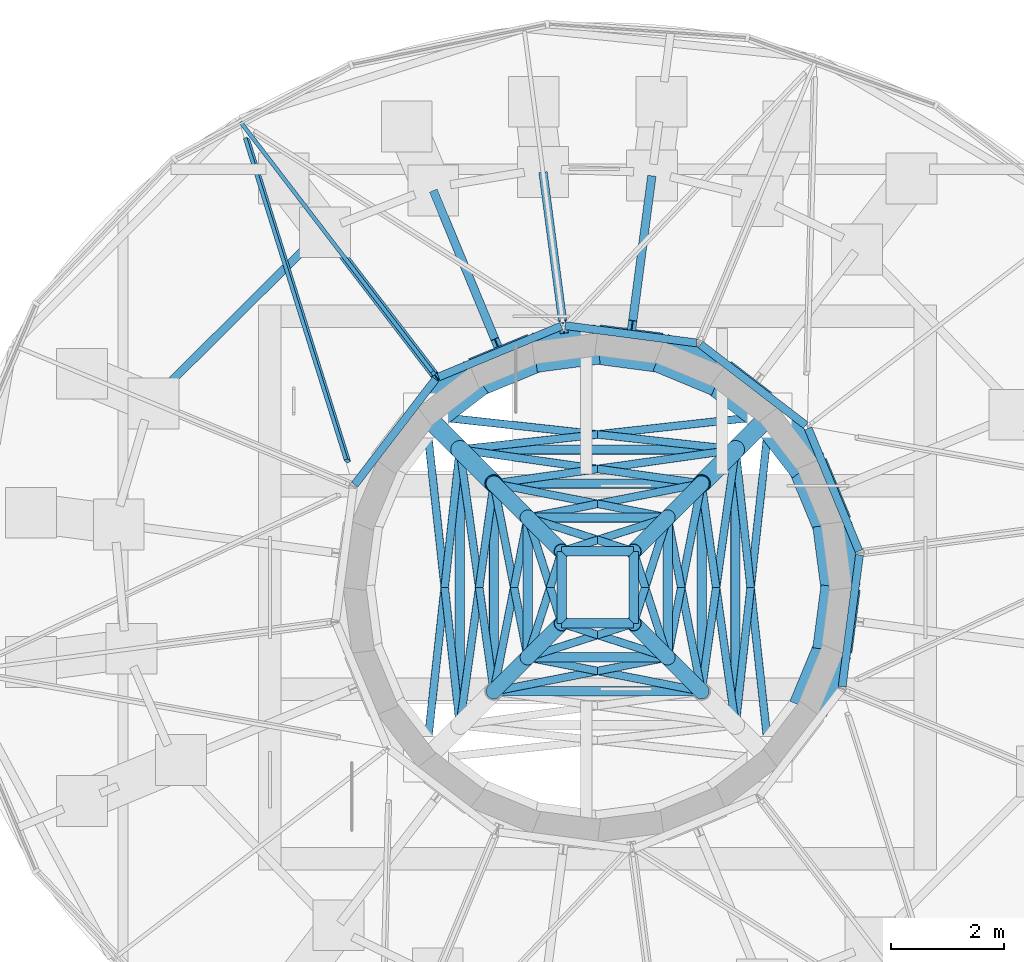
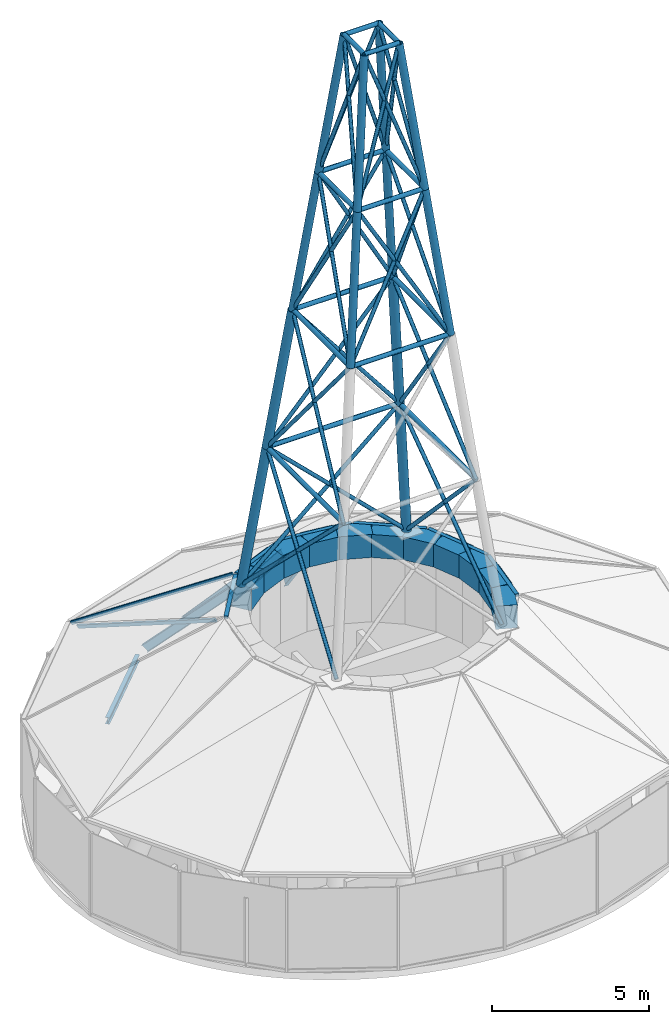
# One storey, part 3 of 10: 67 members, 12 beams, 7 elements without a shape of their own.
"""IFC4 building model written with IfcOpenShell, lengths in metres."""

import ifcopenshell
import ifcopenshell.guid

model = None  # the IFC model being written
_history = None  # IfcOwnerHistory: only IFC2X3 demands one
_inside = {}  # id of a spatial element -> (the spatial element, [elements in it])
_under = {}  # id of a project, library or spatial element -> (it, [spatial elements below it])
_declared = {}  # id of a project -> (the project, [libraries it declares])
_typed = {}  # id of a type object -> (the type object, [elements of that type])
_made_of = {}  # id of a material, layer set ... -> (it, [elements and type objects made of it])


def new_model(schema):
    """Start an empty IFC model of exactly this schema.

    Asked for "IFC4X3", IfcOpenShell would pick the latest addendum, in which some entities
    have other attributes; the version numbers below select the first issue.
    IFC2X3 requires an IfcOwnerHistory on every rooted entity: one is made here for all.
    """
    global model, _history
    if schema == "IFC4X3":
        model = ifcopenshell.file(schema_version=(4, 3, 0, 0))
    else:
        model = ifcopenshell.file(schema=schema)
    _inside.clear()
    _under.clear()
    _declared.clear()
    _typed.clear()
    _made_of.clear()
    _history = None
    if model.schema == "IFC2X3":
        org = make("IfcOrganization", Name="unknown")
        user = make(
            "IfcPersonAndOrganization",
            ThePerson=make("IfcPerson", FamilyName="unknown"),
            TheOrganization=org,
        )
        app = make(
            "IfcApplication",
            ApplicationDeveloper=org,
            Version="unknown",
            ApplicationFullName="unknown",
            ApplicationIdentifier="unknown",
        )
        _history = make(
            "IfcOwnerHistory",
            OwningUser=user,
            OwningApplication=app,
            ChangeAction="ADDED",
            CreationDate=0,
        )
    return model


def make(cls, **values):
    """One entity of the class cls with the attributes given. An attribute that is None is left unset."""
    return model.create_entity(
        cls, **{name: value for name, value in values.items() if value is not None}
    )


def rooted(cls, **values):
    """An entity with a GlobalId (a new one), such as an element, a storey or a relation."""
    return make(cls, GlobalId=ifcopenshell.guid.new(), OwnerHistory=_history, **values)


def si_unit(unit_type, name, prefix=None):
    """IfcSIUnit, for example si_unit("LENGTHUNIT", "METRE", prefix="MILLI")."""
    return make("IfcSIUnit", UnitType=unit_type, Prefix=prefix, Name=name)


def assignment(units):
    """IfcUnitAssignment: the units of a project."""
    return None if units is None else make("IfcUnitAssignment", Units=units)


def point(xyz):
    """IfcCartesianPoint."""
    return None if xyz is None else make("IfcCartesianPoint", Coordinates=xyz)


def direction(xyz):
    """IfcDirection."""
    return None if xyz is None else make("IfcDirection", DirectionRatios=xyz)


def frame(location, z_axis=None, x_axis=None):
    """IfcAxis2Placement3D, a coordinate frame: its origin and axes. An axis left out is left unset."""
    return make(
        "IfcAxis2Placement3D",
        Location=point(location),
        Axis=direction(z_axis),
        RefDirection=direction(x_axis),
    )


def frame_2d(location, x_axis=None):
    """IfcAxis2Placement2D, a coordinate frame in the plane: its origin and x axis."""
    return make(
        "IfcAxis2Placement2D", Location=point(location), RefDirection=direction(x_axis)
    )


def origin():
    """The frame at (0, 0, 0) with its axes left unset."""
    return frame((0.0, 0.0, 0.0))


def origin_2d():
    """The frame at (0, 0) in the plane with its x axis left unset."""
    return frame_2d((0.0, 0.0))


def place(relative_to, where):
    """IfcLocalPlacement: puts the frame where relative to a parent placement (None: the world)."""
    return make(
        "IfcLocalPlacement", PlacementRelTo=relative_to, RelativePlacement=where
    )


def context(
    kind, dimensions, precision=None, world=None, true_north=None, identifier=None
):
    """IfcGeometricRepresentationContext, for example the 3D "Model" context."""
    return make(
        "IfcGeometricRepresentationContext",
        ContextIdentifier=identifier,
        ContextType=kind,
        CoordinateSpaceDimension=dimensions,
        Precision=precision,
        WorldCoordinateSystem=world,
        TrueNorth=true_north,
    )


def subcontext(parent, identifier, kind, view, scale=None):
    """IfcGeometricRepresentationSubContext, for example "Body" below "Model"."""
    return make(
        "IfcGeometricRepresentationSubContext",
        ContextIdentifier=identifier,
        ContextType=kind,
        ParentContext=parent,
        TargetScale=scale,
        TargetView=view,
    )


def project(units=None, contexts=None):
    """IfcProject with its units and contexts."""
    return rooted(
        "IfcProject",
        Name="project",
        RepresentationContexts=contexts,
        UnitsInContext=assignment(units),
    )


def spatial(cls, under=None, at=None, **own):
    """A site, building, storey or space (cls), placed at a placement, below another one or the project."""
    s = rooted(cls, ObjectPlacement=at, **own)
    if under is not None:
        _under.setdefault(under.id(), (under, []))[1].append(s)
    return s


def profile(cls, at=None, kind="AREA", **sizes):
    """A parametric profile (cls). Its sizes go by their IFC names, for example OverallWidth=200.0."""
    return make(cls, ProfileType=kind, Position=at, **sizes)


def rectangle(**sizes):
    """IfcRectangleProfileDef."""
    return profile("IfcRectangleProfileDef", **sizes)


def hollow_circle(**sizes):
    """IfcCircleHollowProfileDef."""
    return profile("IfcCircleHollowProfileDef", **sizes)


def i_section(**sizes):
    """IfcIShapeProfileDef."""
    return profile("IfcIShapeProfileDef", **sizes)


def extrude(swept, where, along, depth):
    """IfcExtrudedAreaSolid: the profile swept, set in the frame where, extruded along a direction by depth."""
    return make(
        "IfcExtrudedAreaSolid",
        SweptArea=swept,
        Position=where,
        ExtrudedDirection=direction(along),
        Depth=depth,
    )


def shape(context_of_items, identifier, shape_type, items):
    """IfcShapeRepresentation: the items that make up one representation, for example the "Body"."""
    return make(
        "IfcShapeRepresentation",
        ContextOfItems=context_of_items,
        RepresentationIdentifier=identifier,
        RepresentationType=shape_type,
        Items=items,
    )


def source(mapping_origin, context_of_items, identifier, shape_type, items):
    """IfcRepresentationMap: a shape defined once, which mapped items show again and again."""
    return make(
        "IfcRepresentationMap",
        MappingOrigin=mapping_origin,
        MappedRepresentation=shape(context_of_items, identifier, shape_type, items),
    )


def transform(
    local_origin,
    x_axis=None,
    y_axis=None,
    z_axis=None,
    scale=None,
    scale2=None,
    scale3=None,
    uniform=True,
):
    """IfcCartesianTransformationOperator3D, or its non-uniform kind. x_axis, y_axis, z_axis: its Axis1, 2, 3."""
    if uniform:
        return make(
            "IfcCartesianTransformationOperator3D",
            Axis1=direction(x_axis),
            Axis2=direction(y_axis),
            LocalOrigin=point(local_origin),
            Scale=scale,
            Axis3=direction(z_axis),
        )
    return make(
        "IfcCartesianTransformationOperator3DnonUniform",
        Axis1=direction(x_axis),
        Axis2=direction(y_axis),
        LocalOrigin=point(local_origin),
        Scale=scale,
        Axis3=direction(z_axis),
        Scale2=scale2,
        Scale3=scale3,
    )


def mapped(mapping_source, mapping_target):
    """IfcMappedItem: shows the shape of a source again, moved by a transform."""
    return make(
        "IfcMappedItem", MappingSource=mapping_source, MappingTarget=mapping_target
    )


def material(Name=None, Category=None):
    """IfcMaterial."""
    return make("IfcMaterial", Name=Name, Category=Category)


def layer(
    of_material, thickness, ventilated=None, Name=None, Category=None, Priority=None
):
    """IfcMaterialLayer: one layer of a wall or slab, of a material (None: an air gap)."""
    return make(
        "IfcMaterialLayer",
        Material=of_material,
        LayerThickness=thickness,
        IsVentilated=ventilated,
        Name=Name,
        Category=Category,
        Priority=Priority,
    )


def layer_set(layers, Name=None):
    """IfcMaterialLayerSet."""
    return make("IfcMaterialLayerSet", MaterialLayers=layers, LayerSetName=Name)


def material_profile(
    of_material, cross_section, Name=None, Category=None, Priority=None
):
    """IfcMaterialProfile: a cross section and its material."""
    return make(
        "IfcMaterialProfile",
        Name=Name,
        Material=of_material,
        Profile=cross_section,
        Priority=Priority,
        Category=Category,
    )


def profile_set(profiles, Name=None, composite=None):
    """IfcMaterialProfileSet."""
    return make(
        "IfcMaterialProfileSet",
        Name=Name,
        MaterialProfiles=profiles,
        CompositeProfile=composite,
    )


def made_of(thing, what):
    """Note that an element or type object is made of a material, layer set ...; save() writes the relation."""
    if what is not None:
        _made_of.setdefault(what.id(), (what, []))[1].append(thing)
    return thing


def type_object(cls, material=None, **own):
    """A type object (cls), such as IfcWallType, which elements share."""
    return made_of(rooted(cls, **own), material)


def element(
    cls,
    number,
    at=None,
    inside=None,
    cuts=None,
    type_object=None,
    material=None,
    context=None,
    identifier="Body",
    shape_type=None,
    held_by="IfcProductDefinitionShape",
    body=None,
    shapes=None,
    **own,
):
    """One element of the class cls, such as IfcWall. Its Tag is "e" and its number.

    at: its placement. inside: the storey or other place that contains it. cuts: it is an
    opening in that element (IfcRelVoidsElement). A single representation is given by context,
    identifier, shape_type and body (its items); several are given by shapes. held_by: the class
    of the entity that holds the representations. save() writes the other relations.
    """
    e = rooted(cls, Tag="e%d" % number, ObjectPlacement=at, **own)
    if body is not None:
        shapes = [shape(context, identifier, shape_type, body)]
    if shapes is not None:
        e.Representation = make(held_by, Representations=shapes)
    if inside is not None:
        _inside.setdefault(inside.id(), (inside, []))[1].append(e)
    if cuts is not None:
        rooted(
            "IfcRelVoidsElement", RelatingBuildingElement=cuts, RelatedOpeningElement=e
        )
    if type_object is not None:
        _typed.setdefault(type_object.id(), (type_object, []))[1].append(e)
    return made_of(e, material)


def aggregate(whole, parts):
    """IfcRelAggregates: a whole, such as a stair, and the parts it consists of."""
    return rooted("IfcRelAggregates", RelatingObject=whole, RelatedObjects=parts)


def save(model, path):
    """Write the relations noted so far, then the file.

    IfcRelAggregates (storeys below a building ...), IfcRelContainedInSpatialStructure (elements
    in a storey), IfcRelDefinesByType, IfcRelAssociatesMaterial and IfcRelDeclares: one each for
    every whole, place, type object, material and project.
    """
    for whole, parts in _under.values():
        aggregate(whole, parts)
    for where, things in _inside.values():
        rooted(
            "IfcRelContainedInSpatialStructure",
            RelatedElements=things,
            RelatingStructure=where,
        )
    for kind, things in _typed.values():
        rooted("IfcRelDefinesByType", RelatedObjects=things, RelatingType=kind)
    for what, things in _made_of.values():
        rooted("IfcRelAssociatesMaterial", RelatedObjects=things, RelatingMaterial=what)
    for by, libraries in _declared.values():
        rooted("IfcRelDeclares", RelatingContext=by, RelatedDefinitions=libraries)
    model.write(path)


model = new_model("IFC4")

# Units and contexts
model_context = context("Model", 3, precision=1e-05, world=origin(), true_north=direction((0.0, 1.0)))
body_context = subcontext(model_context, "Body", "Model", "MODEL_VIEW")
ifc_project = project(units=[si_unit("LENGTHUNIT", "METRE"), si_unit("AREAUNIT", "SQUARE_METRE"), si_unit("VOLUMEUNIT", "CUBIC_METRE"), si_unit("PLANEANGLEUNIT", "RADIAN"), si_unit("MASSUNIT", "GRAM", prefix="KILO")], contexts=[model_context])

# Site, building, storey
site_placement = place(None, origin())
site = spatial("IfcSite", under=ifc_project, at=site_placement, CompositionType="ELEMENT")
building_placement = place(site_placement, origin())
building = spatial("IfcBuilding", under=site, at=building_placement, Name="Spindrift Exchange Tower", CompositionType="ELEMENT")
storey_placement = place(building_placement, frame((0.0, 0.0, 287.10009765625)))
storey = spatial("IfcBuildingStorey", under=building, at=storey_placement, Name="L71", CompositionType="ELEMENT", Elevation=287.10009765625)

# Beams
ifc_material_1 = material(Name="Steel Grade 300", Category="steel")
ifc_material_profile_1 = material_profile(ifc_material_1, i_section(OverallWidth=0.14599609375, OverallDepth=0.251953125, WebThickness=0.006103515625, FlangeThickness=0.008544921875, FilletRadius=0.011962890625, at=origin_2d()), Name="250UB31.4")
ifc_profile_set_1 = profile_set([ifc_material_profile_1], Name="Steel Grade 300")
beam_type_1 = type_object("IfcBeamType", Name="Edge Beam 250UB31.4 Steel Grade 300", PredefinedType="SPANDREL", material=ifc_profile_set_1)
shared_shape_1 = source(origin(), body_context, "Body", "SweptSolid", [
    extrude(i_section(OverallWidth=0.14599609375, OverallDepth=0.251953125, WebThickness=0.006103515625, FlangeThickness=0.008544921875, FilletRadius=0.011962890625, at=origin_2d()), origin(), (0.0, 0.0, 1.0), 3.66064453125),
])
beam_placement = place(storey_placement, frame((46.91357421875, 54.09130859375, 3.073974609375), z_axis=(-0.709703107954, -0.704500886131, 0.0), x_axis=(0.704500886131, -0.709703107954, 0.0)))
element("IfcBeam", 1, at=beam_placement, inside=storey, type_object=beam_type_1, Name="L71 edge beam E09", PredefinedType="SPANDREL", context=body_context, shape_type="MappedRepresentation", body=[
    mapped(shared_shape_1, transform((0.0, 0.0, 0.0), scale=1.0)),
])
ifc_material_2 = material(Name="Concrete 50 MPa", Category="concrete")
ifc_material_profile_2 = material_profile(ifc_material_2, rectangle(XDim=0.699951171875, YDim=0.89990234375, at=origin_2d()), Name="RC 700x900")
ifc_profile_set_2 = profile_set([ifc_material_profile_2], Name="Concrete 50 MPa")
beam_type_2 = type_object("IfcBeamType", Name="RC Ring Beam 700x900 Concrete 50 MPa", PredefinedType="BEAM", material=ifc_profile_set_2)
shared_shape_2 = source(origin(), body_context, "Body", "SweptSolid", [
    extrude(rectangle(XDim=0.699951171875, YDim=0.89990234375, at=origin_2d()), origin(), (0.0, 0.0, 1.0), 1.122314453125),
])
for number, where, z_axis, x_axis, name in (
    (2, (56.300048828125, 48.0, 6.5498046875), (-0.130510779773, 0.991446890339, 0.0), (-0.991446890339, -0.130510779773, 0.0), "Plant drum ring beam 01"),
    (3, (53.11279296875, 52.153564453125, 6.5498046875), (-0.991446890339, 0.130510779773, 0.0), (-0.130510779773, -0.991446890339, 0.0), "Plant drum ring beam 06"),
    (4, (52.0, 52.300048828125, 6.5498046875), (-0.991446890339, -0.130510779773, 0.0), (0.130510779773, -0.991446890339, 0.0), "Plant drum ring beam 07"),
    (5, (56.153564453125, 46.88720703125, 6.5498046875), (0.130510779773, 0.991446890339, 0.0), (-0.991446890339, 0.130510779773, 0.0), "Plant drum ring beam 24"),
):
    element("IfcBeam", number, at=place(storey_placement, frame(where, z_axis=z_axis, x_axis=x_axis)), inside=storey, type_object=beam_type_2, Name=name, PredefinedType="BEAM", context=body_context, shape_type="MappedRepresentation", body=[
        mapped(shared_shape_2, transform((0.0, 0.0, 0.0), scale=1.0)),
    ])
shared_shape_3 = source(origin(), body_context, "Body", "SweptSolid", [
    extrude(rectangle(XDim=0.699951171875, YDim=0.89990234375, at=origin_2d()), origin(), (0.0, 0.0, 1.0), 1.12255859375),
])
for number, where, z_axis, x_axis, name in (
    (6, (56.153564453125, 49.11279296875, 6.5498046875), (-0.382761541363, 0.923847174836, 0.0), (-0.923847174836, -0.382761541363, 0.0), "Plant drum ring beam 02"),
    (7, (55.723876953125, 50.14990234375, 6.5498046875), (-0.608732839803, 0.793375276742, 0.0), (-0.793375276742, -0.608732839803, 0.0), "Plant drum ring beam 03"),
    (8, (55.04052734375, 51.04052734375, 6.5498046875), (-0.793375276742, 0.608732839803, 0.0), (-0.608732839803, -0.793375276742, 0.0), "Plant drum ring beam 04"),
    (9, (54.14990234375, 51.723876953125, 6.5498046875), (-0.923847174836, 0.382761541363, 0.0), (-0.382761541363, -0.923847174836, 0.0), "Plant drum ring beam 05"),
    (10, (50.88720703125, 52.153564453125, 6.5498046875), (-0.923847174836, -0.382761541363, 0.0), (0.382761541363, -0.923847174836, 0.0), "Plant drum ring beam 08"),
    (11, (49.85009765625, 51.723876953125, 6.5498046875), (-0.793375276742, -0.608732839803, 0.0), (0.608732839803, -0.793375276742, 0.0), "Plant drum ring beam 09"),
    (12, (55.723876953125, 45.85009765625, 6.5498046875), (0.382761541363, 0.923847174836, 0.0), (-0.923847174836, 0.382761541363, 0.0), "Plant drum ring beam 23"),
):
    element("IfcBeam", number, at=place(storey_placement, frame(where, z_axis=z_axis, x_axis=x_axis)), inside=storey, type_object=beam_type_2, Name=name, PredefinedType="BEAM", context=body_context, shape_type="MappedRepresentation", body=[
        mapped(shared_shape_3, transform((0.0, 0.0, 0.0), scale=1.0)),
    ])

# Members
ifc_material_profile_3 = material_profile(ifc_material_1, i_section(OverallWidth=0.14892578125, OverallDepth=0.298095703125, WebThickness=0.005615234375, FlangeThickness=0.008056640625, FilletRadius=0.012939453125, at=origin_2d()), Name="310UB32.0")
ifc_profile_set_3 = profile_set([ifc_material_profile_3], Name="Steel Grade 300")
member_type_1 = type_object("IfcMemberType", Name="Crown Rafter 310UB32.0 Steel Grade 300", PredefinedType="RAFTER", material=ifc_profile_set_3)
shared_shape_4 = source(origin(), body_context, "Body", "SweptSolid", [
    extrude(i_section(OverallWidth=0.14892578125, OverallDepth=0.298095703125, WebThickness=0.005615234375, FlangeThickness=0.008056640625, FilletRadius=0.012939453125, at=origin_2d()), origin(), (0.0, 0.0, 1.0), 4.111083984375),
])
member_1_placement = place(storey_placement, frame((52.94384765625, 55.1689453125, 3.25), z_axis=(-0.081953001784, -0.622427109926, 0.778375358248), x_axis=(0.99144302295, -0.130540155679, 0.0)))
element("IfcMember", 13, at=member_1_placement, inside=storey, type_object=member_type_1, Name="Crown rafter 06", PredefinedType="RAFTER", context=body_context, shape_type="MappedRepresentation", body=[
    mapped(shared_shape_4, transform((0.0, 0.0, 0.0), scale=1.0)),
])
shared_shape_5 = source(origin(), body_context, "Body", "SweptSolid", [
    extrude(i_section(OverallWidth=0.14892578125, OverallDepth=0.298095703125, WebThickness=0.005615234375, FlangeThickness=0.008056640625, FilletRadius=0.012939453125, at=origin_2d()), origin(), (0.0, 0.0, 1.0), 4.15380859375),
])
member_2_placement = place(storey_placement, frame((51.04736328125, 55.236083984375, 3.25), z_axis=(0.08322358876, -0.632170141736, 0.770347159514), x_axis=(0.991445508648, 0.13052127559, 0.0)))
element("IfcMember", 14, at=member_2_placement, inside=storey, type_object=member_type_1, Name="Crown rafter 07", PredefinedType="RAFTER", context=body_context, shape_type="MappedRepresentation", body=[
    mapped(shared_shape_5, transform((0.0, 0.0, 0.0), scale=1.0)),
])
shared_shape_6 = source(origin(), body_context, "Body", "SweptSolid", [
    extrude(i_section(OverallWidth=0.14892578125, OverallDepth=0.298095703125, WebThickness=0.005615234375, FlangeThickness=0.008056640625, FilletRadius=0.012939453125, at=origin_2d()), origin(), (0.0, 0.0, 1.0), 4.279541015625),
])
member_3_placement = place(storey_placement, frame((49.133056640625, 54.92138671875, 3.25), z_axis=(0.254087329282, -0.61348341695, 0.747715003344), x_axis=(0.923893280851, 0.382650239251, 0.0)))
element("IfcMember", 15, at=member_3_placement, inside=storey, type_object=member_type_1, Name="Crown rafter 08", PredefinedType="RAFTER", context=body_context, shape_type="MappedRepresentation", body=[
    mapped(shared_shape_6, transform((0.0, 0.0, 0.0), scale=1.0)),
])
shared_shape_7 = source(origin(), body_context, "Body", "SweptSolid", [
    extrude(i_section(OverallWidth=0.14892578125, OverallDepth=0.298095703125, WebThickness=0.005615234375, FlangeThickness=0.008056640625, FilletRadius=0.012939453125, at=origin_2d()), origin(), (0.0, 0.0, 1.0), 4.497802734375),
])
member_4_placement = place(storey_placement, frame((47.2451171875, 54.19677734375, 3.25), z_axis=(0.427786716912, -0.557517747672, 0.711458000071), x_axis=(0.793361379302, 0.608750952223, 0.0)))
element("IfcMember", 16, at=member_4_placement, inside=storey, type_object=member_type_1, Name="Crown rafter 09", PredefinedType="RAFTER", context=body_context, shape_type="MappedRepresentation", body=[
    mapped(shared_shape_7, transform((0.0, 0.0, 0.0), scale=1.0)),
])
ifc_material_3 = material(Name="Steel Grade 350", Category="steel")
ifc_material_profile_4 = material_profile(ifc_material_3, hollow_circle(Radius=0.161865234375, WallThickness=0.009521484375, at=origin_2d()), Name="323.9x9.5CHS")
ifc_profile_set_4 = profile_set([ifc_material_profile_4], Name="Steel Grade 350")
member_type_2 = type_object("IfcMemberType", Name="Mast Leg 323.9x9.5CHS Steel Grade 350", PredefinedType="CHORD", material=ifc_profile_set_4)
shared_shape_8 = source(origin(), body_context, "Body", "SweptSolid", [
    extrude(hollow_circle(Radius=0.161865234375, WallThickness=0.009521484375, at=origin_2d()), origin(), (0.0, 0.0, 1.0), 5.565185546875),
])
for number, where, z_axis, x_axis, name in (
    (17, (55.04052734375, 51.04052734375, 7.039794921875), (-0.108003892004, -0.108003892004, 0.988266319685), (0.707106781187, -0.707106781187, 0.0), "Mast leg 1 bay 1"),
    (18, (48.95947265625, 51.04052734375, 7.039794921875), (0.108003892004, -0.108003892004, 0.988266319685), (0.707106781187, 0.707106781187, 0.0), "Mast leg 2 bay 1"),
    (19, (54.439453125, 50.439453125, 12.539794921875), (-0.108003892004, -0.108003892004, 0.988266319685), (0.707106781187, -0.707106781187, 0.0), "Mast leg 1 bay 2"),
    (20, (49.560546875, 50.439453125, 12.539794921875), (0.108003892004, -0.108003892004, 0.988266319685), (0.707106781187, 0.707106781187, 0.0), "Mast leg 2 bay 2"),
):
    element("IfcMember", number, at=place(storey_placement, frame(where, z_axis=z_axis, x_axis=x_axis)), inside=storey, type_object=member_type_2, Name=name, PredefinedType="CHORD", context=body_context, shape_type="MappedRepresentation", body=[
        mapped(shared_shape_8, transform((0.0, 0.0, 0.0), scale=1.0)),
    ])
ifc_material_profile_5 = material_profile(ifc_material_3, hollow_circle(Radius=0.06982421875, WallThickness=0.00537109375, at=origin_2d()), Name="139.7x5.4CHS")
ifc_profile_set_5 = profile_set([ifc_material_profile_5], Name="Steel Grade 350")
member_type_3 = type_object("IfcMemberType", Name="Mast Diagonal 139.7x5.4CHS Steel Grade 350", PredefinedType="BRACE", material=ifc_profile_set_5)
shared_shape_9 = source(origin(), body_context, "Body", "SweptSolid", [
    extrude(hollow_circle(Radius=0.06982421875, WallThickness=0.00537109375, at=origin_2d()), origin(), (0.0, 0.0, 1.0), 7.787353515625),
])
for number, where, z_axis, x_axis, name in (
    (21, (55.04052734375, 51.04052734375, 7.039794921875), (-0.70371065754, -0.077186832347, 0.706281461867), (0.109031554296, -0.994038289085, 0.0), "Mast diagonal 1 bay 1 up"),
    (22, (48.95947265625, 51.04052734375, 7.039794921875), (0.70371065754, -0.077186832347, 0.706281461867), (0.109031554296, 0.994038289085, 0.0), "Mast diagonal 1 bay 1 down"),
    (23, (48.95947265625, 51.04052734375, 7.039794921875), (0.077186832347, -0.70371065754, 0.706281461867), (0.994038289085, 0.109031554296, 0.0), "Mast diagonal 2 bay 1 up"),
    (24, (48.95947265625, 44.95947265625, 7.039794921875), (0.077186832347, 0.70371065754, 0.706281461867), (-0.994038289085, 0.109031554296, 0.0), "Mast diagonal 2 bay 1 down"),
    (25, (55.04052734375, 44.95947265625, 7.039794921875), (-0.077186832347, 0.70371065754, 0.706281461867), (-0.994038289085, -0.109031554296, 0.0), "Mast diagonal 4 bay 1 up"),
    (26, (55.04052734375, 51.04052734375, 7.039794921875), (-0.077186832347, -0.70371065754, 0.706281461867), (0.994038289085, -0.109031554296, 0.0), "Mast diagonal 4 bay 1 down"),
):
    element("IfcMember", number, at=place(storey_placement, frame(where, z_axis=z_axis, x_axis=x_axis)), inside=storey, type_object=member_type_3, Name=name, PredefinedType="BRACE", context=body_context, shape_type="MappedRepresentation", body=[
        mapped(shared_shape_9, transform((0.0, 0.0, 0.0), scale=1.0)),
    ])
shared_shape_10 = source(origin(), body_context, "Body", "SweptSolid", [
    extrude(hollow_circle(Radius=0.06982421875, WallThickness=0.00537109375, at=origin_2d()), origin(), (0.0, 0.0, 1.0), 6.99365234375),
])
for number, where, z_axis, x_axis, name in (
    (27, (54.439453125, 50.439453125, 12.539794921875), (-0.611673757193, -0.085945713401, 0.786427713848), (0.139142258637, -0.990272402858, 0.0), "Mast diagonal 1 bay 2 up"),
    (28, (49.560546875, 50.439453125, 12.539794921875), (0.611673757193, -0.085945713401, 0.786427713848), (0.139142258637, 0.990272402858, 0.0), "Mast diagonal 1 bay 2 down"),
    (29, (49.560546875, 50.439453125, 12.539794921875), (0.085945713401, -0.611673757193, 0.786427713848), (0.990272402858, 0.139142258637, 0.0), "Mast diagonal 2 bay 2 up"),
    (30, (49.560546875, 45.560546875, 12.539794921875), (0.085945713401, 0.611673757193, 0.786427713848), (-0.990272402858, 0.139142258637, 0.0), "Mast diagonal 2 bay 2 down"),
    (31, (54.439453125, 45.560546875, 12.539794921875), (-0.085945713401, 0.611673757193, 0.786427713848), (-0.990272402858, -0.139142258637, 0.0), "Mast diagonal 4 bay 2 up"),
    (32, (54.439453125, 50.439453125, 12.539794921875), (-0.085945713401, -0.611673757193, 0.786427713848), (0.990272402858, -0.139142258637, 0.0), "Mast diagonal 4 bay 2 down"),
):
    element("IfcMember", number, at=place(storey_placement, frame(where, z_axis=z_axis, x_axis=x_axis)), inside=storey, type_object=member_type_3, Name=name, PredefinedType="BRACE", context=body_context, shape_type="MappedRepresentation", body=[
        mapped(shared_shape_10, transform((0.0, 0.0, 0.0), scale=1.0)),
    ])
ifc_material_profile_6 = material_profile(ifc_material_3, hollow_circle(Radius=0.084228515625, WallThickness=0.007080078125, at=origin_2d()), Name="168.3x7.1CHS")
ifc_profile_set_6 = profile_set([ifc_material_profile_6], Name="Steel Grade 350")
member_type_4 = type_object("IfcMemberType", Name="Mast Strut 168.3x7.1CHS Steel Grade 350", PredefinedType="STRUT", material=ifc_profile_set_6)
shared_shape_11 = source(origin(), body_context, "Body", "SweptSolid", [
    extrude(hollow_circle(Radius=0.084228515625, WallThickness=0.007080078125, at=origin_2d()), origin(), (0.0, 0.0, 1.0), 4.87890625),
])
for number, where, z_axis, x_axis, name in (
    (33, (54.439453125, 50.439453125, 12.539794921875), (-1.0, 0.0, 0.0), (0.0, -1.0, 0.0), "Mast strut 1 level 1"),
    (34, (49.560546875, 50.439453125, 12.539794921875), (0.0, -1.0, 0.0), (1.0, 0.0, 0.0), "Mast strut 2 level 1"),
    (35, (54.439453125, 45.560546875, 12.539794921875), (0.0, 1.0, 0.0), (-1.0, 0.0, 0.0), "Mast strut 4 level 1"),
):
    element("IfcMember", number, at=place(storey_placement, frame(where, z_axis=z_axis, x_axis=x_axis)), inside=storey, type_object=member_type_4, Name=name, PredefinedType="STRUT", context=body_context, shape_type="MappedRepresentation", body=[
        mapped(shared_shape_11, transform((0.0, 0.0, 0.0), scale=1.0)),
    ])
ifc_material_profile_7 = material_profile(ifc_material_3, hollow_circle(Radius=0.136474609375, WallThickness=0.00927734375, at=origin_2d()), Name="273.1x9.3CHS")
ifc_profile_set_7 = profile_set([ifc_material_profile_7], Name="Steel Grade 350")
member_type_5 = type_object("IfcMemberType", Name="Mast Leg 273.1x9.3CHS Steel Grade 350", PredefinedType="CHORD", material=ifc_profile_set_7)
shared_shape_12 = source(origin(), body_context, "Body", "SweptSolid", [
    extrude(hollow_circle(Radius=0.136474609375, WallThickness=0.00927734375, at=origin_2d()), origin(), (0.0, 0.0, 1.0), 5.565185546875),
])
for number, where, z_axis, x_axis, name in (
    (36, (53.83837890625, 49.83837890625, 18.039794921875), (-0.108003892004, -0.108003892004, 0.988266319685), (0.707106781187, -0.707106781187, 0.0), "Mast leg 1 bay 3"),
    (37, (50.16162109375, 49.83837890625, 18.039794921875), (0.108003892004, -0.108003892004, 0.988266319685), (0.707106781187, 0.707106781187, 0.0), "Mast leg 2 bay 3"),
    (38, (50.16162109375, 46.16162109375, 18.039794921875), (0.108003892004, 0.108003892004, 0.988266319685), (-0.707106781187, 0.707106781187, 0.0), "Mast leg 3 bay 3"),
    (39, (53.83837890625, 46.16162109375, 18.039794921875), (-0.108003892004, 0.108003892004, 0.988266319685), (-0.707106781187, -0.707106781187, 0.0), "Mast leg 4 bay 3"),
    (40, (53.2373046875, 49.2373046875, 23.539794921875), (-0.107961046474, -0.107961046474, 0.988275682635), (0.707106781187, -0.707106781187, 0.0), "Mast leg 1 bay 4"),
    (41, (50.7626953125, 49.2373046875, 23.539794921875), (0.107961046474, -0.107961046474, 0.988275682635), (0.707106781187, 0.707106781187, 0.0), "Mast leg 2 bay 4"),
    (42, (50.7626953125, 46.7626953125, 23.539794921875), (0.107961046474, 0.107961046474, 0.988275682635), (-0.707106781187, 0.707106781187, 0.0), "Mast leg 3 bay 4"),
    (43, (53.2373046875, 46.7626953125, 23.539794921875), (-0.107961046474, 0.107961046474, 0.988275682635), (-0.707106781187, -0.707106781187, 0.0), "Mast leg 4 bay 4"),
):
    element("IfcMember", number, at=place(storey_placement, frame(where, z_axis=z_axis, x_axis=x_axis)), inside=storey, type_object=member_type_5, Name=name, PredefinedType="CHORD", context=body_context, shape_type="MappedRepresentation", body=[
        mapped(shared_shape_12, transform((0.0, 0.0, 0.0), scale=1.0)),
    ])
shared_shape_13 = source(origin(), body_context, "Body", "SweptSolid", [
    extrude(hollow_circle(Radius=0.06982421875, WallThickness=0.00537109375, at=origin_2d()), origin(), (0.0, 0.0, 1.0), 6.330078125),
])
for number, where, z_axis, x_axis, name in (
    (44, (53.83837890625, 49.83837890625, 18.039794921875), (-0.485876524814, -0.094953802516, 0.868854290444), (0.191799555615, -0.981434119269, 0.0), "Mast diagonal 1 bay 3 up"),
    (45, (50.16162109375, 49.83837890625, 18.039794921875), (0.485876524814, -0.094953802516, 0.868854290444), (0.191799555615, 0.981434119269, 0.0), "Mast diagonal 1 bay 3 down"),
    (46, (50.16162109375, 49.83837890625, 18.039794921875), (0.094953802516, -0.485876524814, 0.868854290444), (0.981434119269, 0.191799555615, 0.0), "Mast diagonal 2 bay 3 up"),
    (47, (50.16162109375, 46.16162109375, 18.039794921875), (0.094953802516, 0.485876524814, 0.868854290444), (-0.981434119269, 0.191799555615, 0.0), "Mast diagonal 2 bay 3 down"),
    (48, (50.16162109375, 46.16162109375, 18.039794921875), (0.485876524814, 0.094953802516, 0.868854290444), (-0.191799555615, 0.981434119269, 0.0), "Mast diagonal 3 bay 3 up"),
    (49, (53.83837890625, 46.16162109375, 18.039794921875), (-0.485876524814, 0.094953802516, 0.868854290444), (-0.191799555615, -0.981434119269, 0.0), "Mast diagonal 3 bay 3 down"),
    (50, (53.83837890625, 46.16162109375, 18.039794921875), (-0.094953802516, 0.485876524814, 0.868854290444), (-0.981434119269, -0.191799555615, 0.0), "Mast diagonal 4 bay 3 up"),
    (51, (53.83837890625, 49.83837890625, 18.039794921875), (-0.094953802516, -0.485876524814, 0.868854290444), (0.981434119269, -0.191799555615, 0.0), "Mast diagonal 4 bay 3 down"),
):
    element("IfcMember", number, at=place(storey_placement, frame(where, z_axis=z_axis, x_axis=x_axis)), inside=storey, type_object=member_type_3, Name=name, PredefinedType="BRACE", context=body_context, shape_type="MappedRepresentation", body=[
        mapped(shared_shape_13, transform((0.0, 0.0, 0.0), scale=1.0)),
    ])
shared_shape_14 = source(origin(), body_context, "Body", "SweptSolid", [
    extrude(hollow_circle(Radius=0.084228515625, WallThickness=0.007080078125, at=origin_2d()), origin(), (0.0, 0.0, 1.0), 3.6767578125),
])
for number, where, z_axis, x_axis, name in (
    (52, (53.83837890625, 49.83837890625, 18.039794921875), (-1.0, 0.0, 0.0), (0.0, -1.0, 0.0), "Mast strut 1 level 2"),
    (53, (50.16162109375, 49.83837890625, 18.039794921875), (0.0, -1.0, 0.0), (1.0, 0.0, 0.0), "Mast strut 2 level 2"),
    (54, (50.16162109375, 46.16162109375, 18.039794921875), (1.0, 0.0, 0.0), (0.0, 1.0, 0.0), "Mast strut 3 level 2"),
    (55, (53.83837890625, 46.16162109375, 18.039794921875), (0.0, 1.0, 0.0), (-1.0, 0.0, 0.0), "Mast strut 4 level 2"),
):
    element("IfcMember", number, at=place(storey_placement, frame(where, z_axis=z_axis, x_axis=x_axis)), inside=storey, type_object=member_type_4, Name=name, PredefinedType="STRUT", context=body_context, shape_type="MappedRepresentation", body=[
        mapped(shared_shape_14, transform((0.0, 0.0, 0.0), scale=1.0)),
    ])
shared_shape_15 = source(origin(), body_context, "Body", "SweptSolid", [
    extrude(hollow_circle(Radius=0.06982421875, WallThickness=0.00537109375, at=origin_2d()), origin(), (0.0, 0.0, 1.0), 5.84130859375),
])
for number, where, z_axis, x_axis, name in (
    (56, (53.2373046875, 49.2373046875, 23.539794921875), (-0.320775290122, -0.102857066969, 0.941553841807), (0.305338404618, -0.952243907129, 0.0), "Mast diagonal 1 bay 4 up"),
    (57, (50.7626953125, 49.2373046875, 23.539794921875), (0.320775290122, -0.102857066969, 0.941553841807), (0.305338404618, 0.952243907129, 0.0), "Mast diagonal 1 bay 4 down"),
    (58, (50.7626953125, 49.2373046875, 23.539794921875), (0.102857066969, -0.320775290122, 0.941553841807), (0.952243907129, 0.305338404618, 0.0), "Mast diagonal 2 bay 4 up"),
    (59, (50.7626953125, 46.7626953125, 23.539794921875), (0.102857066969, 0.320775290122, 0.941553841807), (-0.952243907129, 0.305338404618, 0.0), "Mast diagonal 2 bay 4 down"),
    (60, (50.7626953125, 46.7626953125, 23.539794921875), (0.320775290122, 0.102857066969, 0.941553841807), (-0.305338404618, 0.952243907129, 0.0), "Mast diagonal 3 bay 4 up"),
    (61, (53.2373046875, 46.7626953125, 23.539794921875), (-0.320775290122, 0.102857066969, 0.941553841807), (-0.305338404618, -0.952243907129, 0.0), "Mast diagonal 3 bay 4 down"),
    (62, (53.2373046875, 46.7626953125, 23.539794921875), (-0.102857066969, 0.320775290122, 0.941553841807), (-0.952243907129, -0.305338404618, 0.0), "Mast diagonal 4 bay 4 up"),
    (63, (53.2373046875, 49.2373046875, 23.539794921875), (-0.102857066969, -0.320775290122, 0.941553841807), (0.952243907129, -0.305338404618, 0.0), "Mast diagonal 4 bay 4 down"),
):
    element("IfcMember", number, at=place(storey_placement, frame(where, z_axis=z_axis, x_axis=x_axis)), inside=storey, type_object=member_type_3, Name=name, PredefinedType="BRACE", context=body_context, shape_type="MappedRepresentation", body=[
        mapped(shared_shape_15, transform((0.0, 0.0, 0.0), scale=1.0)),
    ])
shared_shape_16 = source(origin(), body_context, "Body", "SweptSolid", [
    extrude(hollow_circle(Radius=0.084228515625, WallThickness=0.007080078125, at=origin_2d()), origin(), (0.0, 0.0, 1.0), 2.474609375),
])
for number, where, z_axis, x_axis, name in (
    (64, (53.2373046875, 49.2373046875, 23.539794921875), (-1.0, 0.0, 0.0), (0.0, -1.0, 0.0), "Mast strut 1 level 3"),
    (65, (50.7626953125, 49.2373046875, 23.539794921875), (0.0, -1.0, 0.0), (1.0, 0.0, 0.0), "Mast strut 2 level 3"),
    (66, (50.7626953125, 46.7626953125, 23.539794921875), (1.0, 0.0, 0.0), (0.0, 1.0, 0.0), "Mast strut 3 level 3"),
    (67, (53.2373046875, 46.7626953125, 23.539794921875), (0.0, 1.0, 0.0), (-1.0, 0.0, 0.0), "Mast strut 4 level 3"),
):
    element("IfcMember", number, at=place(storey_placement, frame(where, z_axis=z_axis, x_axis=x_axis)), inside=storey, type_object=member_type_4, Name=name, PredefinedType="STRUT", context=body_context, shape_type="MappedRepresentation", body=[
        mapped(shared_shape_16, transform((0.0, 0.0, 0.0), scale=1.0)),
    ])
shared_shape_17 = source(origin(), body_context, "Body", "SweptSolid", [
    extrude(hollow_circle(Radius=0.084228515625, WallThickness=0.007080078125, at=origin_2d()), origin(), (0.0, 0.0, 1.0), 1.27294921875),
])
for number, where, z_axis, x_axis, name in (
    (68, (52.636474609375, 48.636474609375, 29.039794921875), (-1.0, 0.0, 0.0), (0.0, -1.0, 0.0), "Mast strut 1 level 4"),
    (69, (51.363525390625, 48.636474609375, 29.039794921875), (0.0, -1.0, 0.0), (1.0, 0.0, 0.0), "Mast strut 2 level 4"),
    (70, (51.363525390625, 47.363525390625, 29.039794921875), (1.0, 0.0, 0.0), (0.0, 1.0, 0.0), "Mast strut 3 level 4"),
    (71, (52.636474609375, 47.363525390625, 29.039794921875), (0.0, 1.0, 0.0), (-1.0, 0.0, 0.0), "Mast strut 4 level 4"),
):
    element("IfcMember", number, at=place(storey_placement, frame(where, z_axis=z_axis, x_axis=x_axis)), inside=storey, type_object=member_type_4, Name=name, PredefinedType="STRUT", context=body_context, shape_type="MappedRepresentation", body=[
        mapped(shared_shape_17, transform((0.0, 0.0, 0.0), scale=1.0)),
    ])

# Curtain wall, member
ifc_material_4 = material(Name="Fritted laminated glass with bronze frame", Category="glass")
ifc_layer = layer(ifc_material_4, 0.139892578125)
ifc_layer_set = layer_set([ifc_layer], Name="CROWN BRONZE HOOD GLAZED ROOF")
curtain_wall_type = type_object("IfcCurtainWallType", Name="CROWN BRONZE HOOD GLAZED ROOF", PredefinedType="NOTDEFINED", material=ifc_layer_set)
curtain_wall_1_placement = place(storey_placement, origin())
curtain_wall_1 = element("IfcCurtainWall", 72, at=curtain_wall_1_placement, inside=storey, type_object=curtain_wall_type, Name="L71 Crown Bronze Hood Glazed Roof facet 2", PredefinedType="NOTDEFINED")
ifc_material_5 = material(Name="Bronze anodised aluminium", Category="aluminium")
ifc_material_profile_8 = material_profile(ifc_material_5, rectangle(XDim=0.139892578125, YDim=0.110107421875, at=origin_2d()), Name="CROWN BRONZE HOOD GLAZED ROOF TRANSOM 140X110")
ifc_profile_set_8 = profile_set([ifc_material_profile_8], Name="Bronze anodised aluminium")
member_type_6 = type_object("IfcMemberType", Name="CROWN BRONZE HOOD GLAZED ROOF TRANSOM 140X110", PredefinedType="USERDEFINED", material=ifc_profile_set_8)
shared_shape_18 = source(origin(), body_context, "Body", "SweptSolid", [
    extrude(rectangle(XDim=0.139892578125, YDim=0.110107421875, at=origin_2d()), origin(), (0.0, 0.0, 1.0), 2.351806640625),
])
member_5_placement = place(storey_placement, frame((56.625244140625, 48.64306640625, 6.94482421875), z_axis=(-0.382639066289, 0.923897908294, 0.0), x_axis=(-0.923897908294, -0.382639066289, 0.0)))
member_5 = element("IfcMember", 73, at=member_5_placement, type_object=member_type_6, Name="L71 transom CW-H.1b", ObjectType="TRANSOM", PredefinedType="USERDEFINED", context=body_context, shape_type="MappedRepresentation", body=[
    mapped(shared_shape_18, transform((0.0, 0.0, 0.0), scale=1.0)),
])
aggregate(curtain_wall_1, [member_5])

curtain_wall_2_placement = place(storey_placement, origin())
curtain_wall_2 = element("IfcCurtainWall", 74, at=curtain_wall_2_placement, inside=storey, type_object=curtain_wall_type, Name="L71 Crown Bronze Hood Glazed Roof facet 4", PredefinedType="NOTDEFINED")
member_6_placement = place(storey_placement, frame((53.818359375, 52.30126953125, 6.94482421875), z_axis=(0.793348970309, -0.608767124038, 0.0), x_axis=(0.608767124038, 0.793348970309, 0.0)))
member_6 = element("IfcMember", 75, at=member_6_placement, type_object=member_type_6, Name="L71 transom CW-H.2b", ObjectType="TRANSOM", PredefinedType="USERDEFINED", context=body_context, shape_type="MappedRepresentation", body=[
    mapped(shared_shape_18, transform((0.0, 0.0, 0.0), scale=1.0)),
])
aggregate(curtain_wall_2, [member_6])

curtain_wall_3_placement = place(storey_placement, origin())
curtain_wall_3 = element("IfcCurtainWall", 76, at=curtain_wall_3_placement, inside=storey, type_object=curtain_wall_type, Name="L71 Crown Bronze Hood Glazed Roof facet 6", PredefinedType="NOTDEFINED")
member_7_placement = place(storey_placement, frame((53.755859375, 52.3271484375, 6.94482421875), z_axis=(-0.991450408563, 0.130484050211, 0.0), x_axis=(-0.130484050211, -0.991450408563, 0.0)))
member_7 = element("IfcMember", 77, at=member_7_placement, type_object=member_type_6, Name="L71 transom CW-H.3b", ObjectType="TRANSOM", PredefinedType="USERDEFINED", context=body_context, shape_type="MappedRepresentation", body=[
    mapped(shared_shape_18, transform((0.0, 0.0, 0.0), scale=1.0)),
])
aggregate(curtain_wall_3, [member_7])

curtain_wall_4_placement = place(storey_placement, origin())
curtain_wall_4 = element("IfcCurtainWall", 78, at=curtain_wall_4_placement, inside=storey, type_object=curtain_wall_type, Name="L71 Crown Bronze Hood Glazed Roof facet 8", PredefinedType="NOTDEFINED")
member_8_placement = place(storey_placement, frame((49.18408203125, 51.725341796875, 6.94482421875), z_axis=(0.923897908294, 0.382639066289, 0.0), x_axis=(-0.382639066289, 0.923897908294, 0.0)))
member_8 = element("IfcMember", 79, at=member_8_placement, type_object=member_type_6, Name="L71 transom CW-H.4b", ObjectType="TRANSOM", PredefinedType="USERDEFINED", context=body_context, shape_type="MappedRepresentation", body=[
    mapped(shared_shape_18, transform((0.0, 0.0, 0.0), scale=1.0)),
])
aggregate(curtain_wall_4, [member_8])

curtain_wall_5_placement = place(storey_placement, origin())
curtain_wall_5 = element("IfcCurtainWall", 80, at=curtain_wall_5_placement, inside=storey, type_object=curtain_wall_type, Name="L71 Crown Bronze Hood Glazed Roof facet 10", PredefinedType="NOTDEFINED")
member_9_placement = place(storey_placement, frame((49.13037109375, 51.68408203125, 6.94482421875), z_axis=(-0.608767124038, -0.793348970309, 0.0), x_axis=(0.793348970309, -0.608767124038, 0.0)))
member_9 = element("IfcMember", 81, at=member_9_placement, type_object=member_type_6, Name="L71 transom CW-H.5b", ObjectType="TRANSOM", PredefinedType="USERDEFINED", context=body_context, shape_type="MappedRepresentation", body=[
    mapped(shared_shape_18, transform((0.0, 0.0, 0.0), scale=1.0)),
])

curtain_wall_6_placement = place(storey_placement, origin())
curtain_wall_6 = element("IfcCurtainWall", 82, at=curtain_wall_6_placement, inside=storey, type_object=curtain_wall_type, Name="L71 Crown Bronze Hood Glazed Roof facet 24", PredefinedType="NOTDEFINED")
member_10_placement = place(storey_placement, frame((56.634033203125, 48.575927734375, 6.94482421875), z_axis=(-0.130484050211, -0.991450408563, 0.0), x_axis=(0.991450408563, -0.130484050211, 0.0)))
member_10 = element("IfcMember", 83, at=member_10_placement, type_object=member_type_6, Name="L71 transom CW-H.12b", ObjectType="TRANSOM", PredefinedType="USERDEFINED", context=body_context, shape_type="MappedRepresentation", body=[
    mapped(shared_shape_18, transform((0.0, 0.0, 0.0), scale=1.0)),
])
aggregate(curtain_wall_6, [member_10])

# Member
ifc_material_profile_9 = material_profile(ifc_material_5, rectangle(XDim=0.070068359375, YDim=0.139892578125, at=origin_2d()), Name="CROWN BRONZE HOOD GLAZED ROOF MULLION 70X140")
ifc_profile_set_9 = profile_set([ifc_material_profile_9], Name="Bronze anodised aluminium")
member_type_7 = type_object("IfcMemberType", Name="CROWN BRONZE HOOD GLAZED ROOF MULLION 70X140", PredefinedType="MULLION", material=ifc_profile_set_9)
shared_shape_19 = source(origin(), body_context, "Body", "SweptSolid", [
    extrude(rectangle(XDim=0.070068359375, YDim=0.139892578125, at=origin_2d()), origin(), (0.0, 0.0, 1.0), 6.5146484375),
])
member_11_placement = place(storey_placement, frame((45.70166015625, 56.208251953125, 3.559814453125), z_axis=(0.520387382621, -0.678197498437, 0.518888355162), x_axis=(0.793360041453, 0.608752695785, 0.0)))
member_11 = element("IfcMember", 84, at=member_11_placement, type_object=member_type_7, Name="L71 mullion CW-H.5", PredefinedType="MULLION", context=body_context, shape_type="MappedRepresentation", body=[
    mapped(shared_shape_19, transform((0.0, 0.0, 0.0), scale=1.0)),
])

aggregate(curtain_wall_5, [member_9, member_11])

# Curtain wall, member
curtain_wall_7_placement = place(storey_placement, origin())
curtain_wall_7 = element("IfcCurtainWall", 85, at=curtain_wall_7_placement, inside=storey, type_object=curtain_wall_type, Name="L71 Crown Bronze Hood Glazed Roof facet 9", PredefinedType="NOTDEFINED")
shared_shape_20 = source(origin(), body_context, "Body", "SweptSolid", [
    extrude(rectangle(XDim=0.070068359375, YDim=0.139892578125, at=origin_2d()), origin(), (0.0, 0.0, 1.0), 6.70849609375),
])
member_12_placement = place(storey_placement, frame((45.787841796875, 55.931884765625, 3.562255859375), z_axis=(0.265958883871, -0.848644665161, 0.457239657493), x_axis=(0.881922518192, 0.405710317158, 0.240024603857)))
member_12 = element("IfcMember", 86, at=member_12_placement, type_object=member_type_7, Name="L71 glazing bar CW-H.5", PredefinedType="MULLION", context=body_context, shape_type="MappedRepresentation", body=[
    mapped(shared_shape_20, transform((0.0, 0.0, 0.0), scale=1.0)),
])
aggregate(curtain_wall_7, [member_12])

save(model, "model.ifc")
